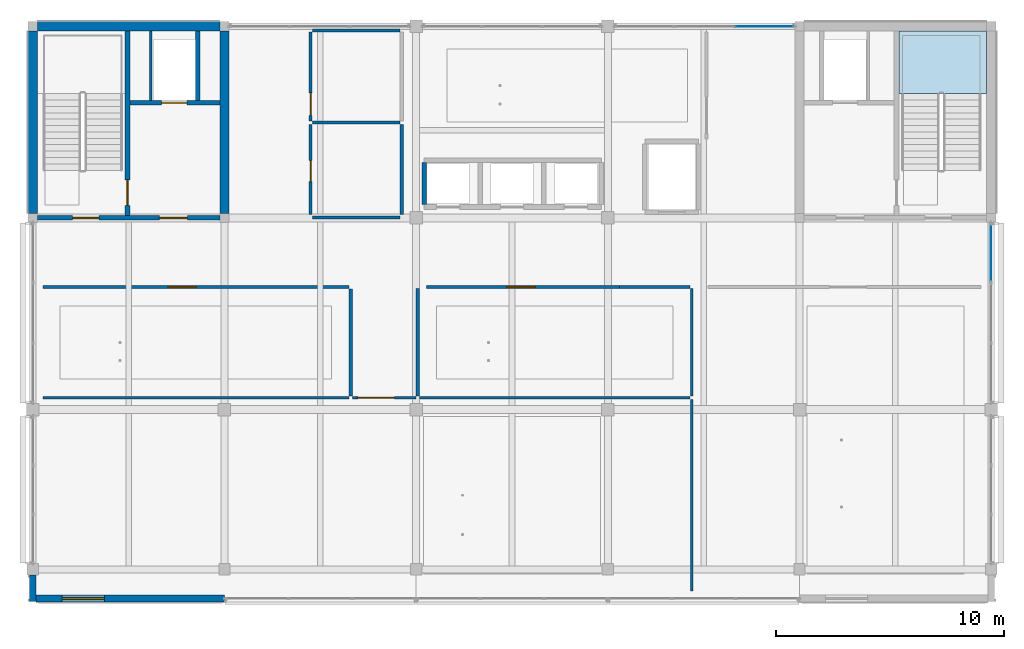
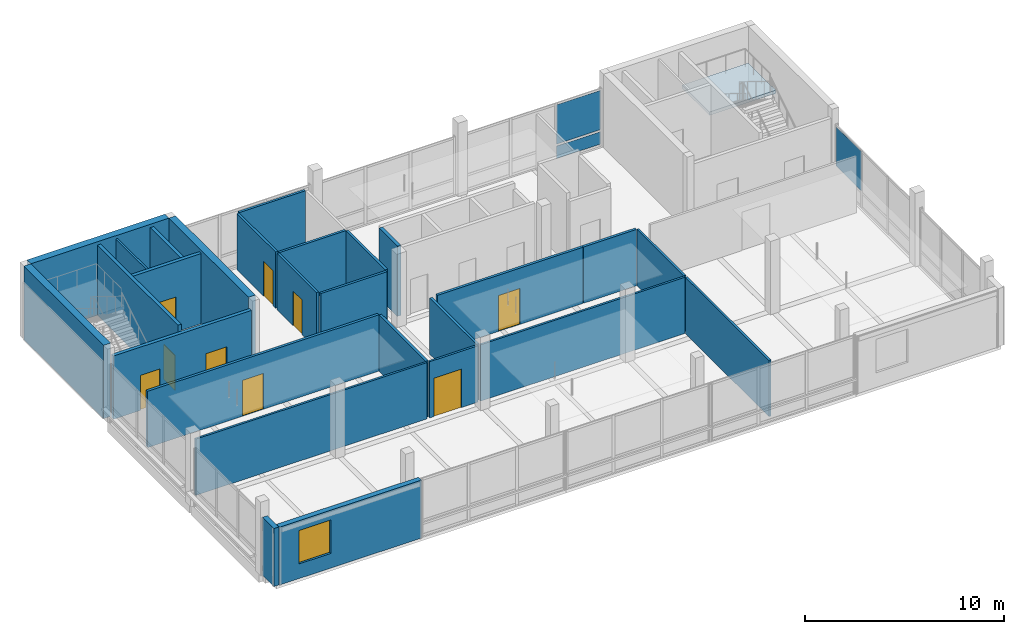
# One storey, part 7 of 20: 27 walls, 9 doors, 3 plates, 1 slab, 1 window, 10 openings, 3 elements without a shape of their own.
"""IFC4 building model written with IfcOpenShell, lengths in metres."""

from ifc_helpers import new_model, si_unit, direction, frame, frame_2d, origin, origin_2d, place, context, subcontext, project, spatial, polyline, rectangle, outline, extrude, material, layer, layer_set, type_object, element, fill, aggregate, save


model = new_model("IFC4")

# Units and contexts
model_context = context("Model", 3, precision=1e-05, world=origin(), true_north=direction((0.0, 1.0)))
body_context = subcontext(model_context, "Body", "Model", "MODEL_VIEW")
ifc_project = project(units=[si_unit("LENGTHUNIT", "METRE"), si_unit("AREAUNIT", "SQUARE_METRE"), si_unit("VOLUMEUNIT", "CUBIC_METRE"), si_unit("PLANEANGLEUNIT", "RADIAN"), si_unit("MASSUNIT", "GRAM", prefix="KILO")], contexts=[model_context])

# Site, building, storey
site_placement = place(None, origin())
site = spatial("IfcSite", under=ifc_project, at=site_placement, CompositionType="ELEMENT")
building_placement = place(site_placement, origin())
building = spatial("IfcBuilding", under=site, at=building_placement, Name="Telukmera Botanical Conservatory", CompositionType="ELEMENT")
storey_placement = place(building_placement, frame((0.0, 0.0, 69.0)))
storey = spatial("IfcBuildingStorey", under=building, at=storey_placement, Name="L15", CompositionType="ELEMENT", Elevation=69.0)

# Curtain wall, plates
ifc_material_1 = material(Name="Anodised aluminium 6063-T6", Category="aluminium")
ifc_layer_1 = layer(ifc_material_1, 0.179931640625)
ifc_layer_set_1 = layer_set([ifc_layer_1], Name="Anodised aluminium 6063-T6")
curtain_wall_type = type_object("IfcCurtainWallType", Name="Tower Sky Gallery Panoramic Curtain Wall", PredefinedType="USERDEFINED", material=ifc_layer_set_1)
curtain_wall_1_placement = place(storey_placement, origin())
curtain_wall_1 = element("IfcCurtainWall", 1, at=curtain_wall_1_placement, inside=storey, type_object=curtain_wall_type, Name="Unitised Curtain Wall CW16 V4:L15:N4", ObjectType="UNITISED CURTAIN WALL", PredefinedType="USERDEFINED")
ifc_material_2 = material(Name="Spectrally selective low-E double glazing", Category="glass")
ifc_layer_2 = layer(ifc_material_2, 0.02392578125)
ifc_layer_set_2 = layer_set([ifc_layer_2], Name="Spectrally selective low-E double glazing")
plate_type = type_object("IfcPlateType", Name="High Light Transmission Conservatory Glazing Panel 24", PredefinedType="CURTAIN_PANEL", material=ifc_layer_set_2)
plate_1_placement = place(storey_placement, frame((90.861572265625, 34.39990234375, 0.130126953125), z_axis=(0.0, 0.0, 1.0), x_axis=(1.0, 0.0, 0.0)))
plate_1 = element("IfcPlate", 2, at=plate_1_placement, type_object=plate_type, Name="CW16 panel 3.1", PredefinedType="CURTAIN_PANEL", context=body_context, shape_type="SweptSolid", body=[
    extrude(rectangle(XDim=2.542724609375, YDim=0.02392578125, at=origin_2d()), origin(), (0.0, 0.0, 1.0), 0.7548828125),
])
plate_2_placement = place(storey_placement, frame((90.861572265625, 34.39990234375, 1.01513671875), z_axis=(0.0, 0.0, 1.0), x_axis=(1.0, 0.0, 0.0)))
plate_2 = element("IfcPlate", 3, at=plate_2_placement, type_object=plate_type, Name="CW16 panel 3.2", PredefinedType="CURTAIN_PANEL", context=body_context, shape_type="SweptSolid", body=[
    extrude(rectangle(XDim=2.542724609375, YDim=0.02392578125, at=origin_2d()), origin(), (0.0, 0.0, 1.0), 2.405029296875),
])
aggregate(curtain_wall_1, [plate_1, plate_2])

# Curtain wall, plate
curtain_wall_2_placement = place(storey_placement, origin())
curtain_wall_2 = element("IfcCurtainWall", 4, at=curtain_wall_2_placement, inside=storey, type_object=curtain_wall_type, Name="Unitised Curtain Wall CW16 V4:L15:E2", ObjectType="UNITISED CURTAIN WALL", PredefinedType="USERDEFINED")
plate_3_placement = place(storey_placement, frame((100.800048828125, 24.461669921875, 1.01513671875), z_axis=(0.0, 0.0, 1.0), x_axis=(0.0, 1.0, 0.0)))
plate_3 = element("IfcPlate", 5, at=plate_3_placement, type_object=plate_type, Name="CW16 panel 3.2", PredefinedType="CURTAIN_PANEL", context=body_context, shape_type="SweptSolid", body=[
    extrude(rectangle(XDim=2.542724609375, YDim=0.02392578125, at=origin_2d()), origin(), (0.0, 0.0, 1.0), 2.405029296875),
])
aggregate(curtain_wall_2, [plate_3])

# Stair, slab
ifc_material_3 = material(Name="Concrete C40/50", Category="concrete")
stair_type = type_object("IfcStairType", Name="ST-ESC-4500", PredefinedType="HALF_TURN_STAIR", material=ifc_material_3)
stair_placement = place(storey_placement, origin())
stair = element("IfcStair", 6, at=stair_placement, inside=storey, type_object=stair_type, Name="L15 Protected Escape Stair ST2", PredefinedType="HALF_TURN_STAIR")
ifc_layer_3 = layer(ifc_material_3, 0.199951171875)
ifc_layer_set_3 = layer_set([ifc_layer_3], Name="Concrete C40/50")
slab_type = type_object("IfcSlabType", Name="SL-LAND-200", PredefinedType="LANDING", material=ifc_layer_set_3)
slab_placement = place(storey_placement, frame((0.0, 0.0, 2.050048828125)))
slab = element("IfcSlab", 7, at=slab_placement, type_object=slab_type, Name="ST2 landing 1", PredefinedType="LANDING", context=body_context, shape_type="SweptSolid", body=[
    extrude(outline(polyline([(96.7548828125, 31.449951171875), (100.594970703125, 31.449951171875), (100.594970703125, 34.195068359375), (96.7548828125, 34.195068359375), (96.7548828125, 31.449951171875)])), origin(), (0.0, 0.0, 1.0), 0.199951171875),
])
aggregate(stair, [slab])

# Wall
ifc_material_4 = material(Name="Terracotta-faced precast concrete C40/50", Category="masonry")
ifc_layer_4 = layer(ifc_material_4, 0.300048828125)
ifc_layer_set_4 = layer_set([ifc_layer_4], Name="Terracotta-faced precast concrete C40/50")
wall_type_1 = type_object("IfcWallType", Name="Exterior Polychrome Terracotta Precast Wall 300", PredefinedType="SOLIDWALL", material=ifc_layer_set_4)
wall_1_placement = place(storey_placement, frame((58.800048828125, 9.199951171875, 0.0), z_axis=(0.0, 0.0, 1.0), x_axis=(0.0, 1.0, 0.0)))
element("IfcWall", 8, at=wall_1_placement, inside=storey, type_object=wall_type_1, Name="Exterior Precast Wall EW02 V4:L15:SWC", PredefinedType="SOLIDWALL", context=body_context, shape_type="SweptSolid", body=[
    extrude(rectangle(XDim=1.14794921875, YDim=0.300048828125, at=frame_2d((0.573974609375, 0.0))), origin(), (0.0, 0.0, 1.0), 3.550048828125),
])

# Wall, opening, window
wall_2_placement = place(storey_placement, frame((58.951904296875, 9.320068359375, 0.0), z_axis=(0.0, 0.0, 1.0), x_axis=(1.0, 0.0, 0.0)))
wall_2 = element("IfcWall", 9, at=wall_2_placement, inside=storey, type_object=wall_type_1, Name="Exterior Precast Wall EW02 V4:L15:S1", PredefinedType="SOLIDWALL", context=body_context, shape_type="SweptSolid", body=[
    extrude(rectangle(XDim=8.24609375, YDim=0.300048828125, at=frame_2d((4.123046875, 0.0))), origin(), (0.0, 0.0, 1.0), 3.550048828125),
])
opening_1_placement = place(wall_2_placement, frame((1.136474609375, 0.0, 0.89990234375)))
opening_1 = element("IfcOpeningElement", 10, at=opening_1_placement, cuts=wall_2, Name="Opening W12", PredefinedType="OPENING", context=body_context, shape_type="SweptSolid", body=[
    extrude(rectangle(XDim=1.85009765625, YDim=2.050048828125, at=frame_2d((0.925048828125, 1.02490234375))), frame((0.0, 0.159912109375, 0.0), z_axis=(0.0, -1.0, 0.0), x_axis=(1.0, 0.0, 0.0)), (0.0, 0.0, 1.0), 0.320068359375),
])
ifc_material_5 = material(Name="Thermally broken anodised aluminium frame with low-E double glazing", Category="aluminium")
window_type = type_object("IfcWindowType", Name="Double Horizontal Seminar Suite Window 1850x2050", PartitioningType="DOUBLE_PANEL_HORIZONTAL", PredefinedType="WINDOW", material=ifc_material_5)
window_placement = place(opening_1_placement, origin())
window = element("IfcWindow", 11, at=window_placement, inside=storey, type_object=window_type, Name="Facade Window W12 V4:L15:S1 1", OverallHeight=2.050048828125, OverallWidth=1.85009765625, PartitioningType="DOUBLE_PANEL_HORIZONTAL", PredefinedType="WINDOW", context=body_context, shape_type="SweptSolid", body=[
    extrude(rectangle(XDim=1.85009765625, YDim=2.050048828125, at=frame_2d((0.925048828125, 1.02490234375))), frame((0.0, 0.030029296875, 0.0), z_axis=(0.0, -1.0, 0.0), x_axis=(1.0, 0.0, 0.0)), (0.0, 0.0, 1.0), 0.06005859375),
])
fill(opening_1, window)

# Wall, openings, doors
ifc_layer_5 = layer(ifc_material_3, 0.199951171875)
ifc_layer_set_5 = layer_set([ifc_layer_5], Name="Concrete C40/50")
wall_type_2 = type_object("IfcWallType", Name="WT-CORE-200", PredefinedType="SOLIDWALL", material=ifc_layer_set_5)
wall_3_placement = place(storey_placement, frame((59.0, 26.0, 0.0), z_axis=(0.0, 0.0, 1.0), x_axis=(1.0, 0.0, 0.0)))
wall_3 = element("IfcWall", 12, at=wall_3_placement, inside=storey, type_object=wall_type_2, Name="L15 Core C1 South Fire Wall", PredefinedType="SOLIDWALL", context=body_context, shape_type="SweptSolid", body=[
    extrude(rectangle(XDim=8.0, YDim=0.199951171875, at=frame_2d((4.0, 0.0))), origin(), (0.0, 0.0, 1.0), 3.8798828125),
])
opening_2_placement = place(wall_3_placement, frame((1.550048828125, 0.0, 0.0)))
opening_2 = element("IfcOpeningElement", 13, at=opening_2_placement, cuts=wall_3, Name="Opening FD60A", PredefinedType="OPENING", context=body_context, shape_type="SweptSolid", body=[
    extrude(rectangle(XDim=1.14990234375, YDim=2.14990234375, at=frame_2d((0.574951171875, 1.074951171875))), frame((0.0, 0.10986328125, 0.0), z_axis=(0.0, -1.0, 0.0), x_axis=(1.0, 0.0, 0.0)), (0.0, 0.0, 1.0), 0.219970703125),
])
opening_3_placement = place(wall_3_placement, frame((5.35009765625, 0.0, 0.0)))
opening_3 = element("IfcOpeningElement", 14, at=opening_3_placement, cuts=wall_3, Name="Opening FD60C", PredefinedType="OPENING", context=body_context, shape_type="SweptSolid", body=[
    extrude(rectangle(XDim=1.219970703125, YDim=2.14990234375, at=frame_2d((0.60986328125, 1.074951171875))), frame((0.0, 0.10986328125, 0.0), z_axis=(0.0, -1.0, 0.0), x_axis=(1.0, 0.0, 0.0)), (0.0, 0.0, 1.0), 0.219970703125),
])
ifc_material_6 = material(Name="Hardwood fire door", Category="wood")
door_type_1 = type_object("IfcDoorType", Name="DT-FD60-01", OperationType="NOTDEFINED", PredefinedType="DOOR", material=ifc_material_6)
door_1_placement = place(opening_2_placement, origin())
door_1 = element("IfcDoor", 15, at=door_1_placement, inside=storey, type_object=door_type_1, Name="L15 Stair ST1 Escape Door", OperationType="SINGLE_SWING_RIGHT", OverallHeight=2.14990234375, OverallWidth=1.14990234375, PredefinedType="DOOR", context=body_context, shape_type="SweptSolid", body=[
    extrude(rectangle(XDim=1.14990234375, YDim=2.14990234375, at=frame_2d((0.574951171875, 1.074951171875))), frame((0.0, 0.02490234375, 0.0), z_axis=(0.0, -1.0, 0.0), x_axis=(1.0, 0.0, 0.0)), (0.0, 0.0, 1.0), 0.050048828125),
])
fill(opening_2, door_1)
door_type_2 = type_object("IfcDoorType", Name="DT-FD60-03", OperationType="NOTDEFINED", PredefinedType="DOOR", material=ifc_material_6)
door_2_placement = place(opening_3_placement, origin())
door_2 = element("IfcDoor", 16, at=door_2_placement, inside=storey, type_object=door_type_2, Name="L15 Firefighting Lobby C1 Door", OperationType="SINGLE_SWING_LEFT", OverallHeight=2.14990234375, OverallWidth=1.219970703125, PredefinedType="DOOR", context=body_context, shape_type="SweptSolid", body=[
    extrude(rectangle(XDim=1.219970703125, YDim=2.14990234375, at=frame_2d((0.60986328125, 1.074951171875))), frame((0.0, 0.02490234375, 0.0), z_axis=(0.0, -1.0, 0.0), x_axis=(1.0, 0.0, 0.0)), (0.0, 0.0, 1.0), 0.050048828125),
])
fill(opening_3, door_2)

# Wall, opening, door
wall_4_placement = place(storey_placement, frame((62.949951171875, 26.10009765625, 0.0), z_axis=(0.0, 0.0, 1.0), x_axis=(0.0, 1.0, 0.0)))
wall_4 = element("IfcWall", 17, at=wall_4_placement, inside=storey, type_object=wall_type_2, Name="L15 Core C1 Stair-Lobby Wall", PredefinedType="SOLIDWALL", context=body_context, shape_type="SweptSolid", body=[
    extrude(rectangle(XDim=8.099853515625, YDim=0.199951171875, at=frame_2d((4.0498046875, 0.0))), origin(), (0.0, 0.0, 1.0), 4.300048828125),
])
opening_4_placement = place(wall_4_placement, frame((0.449951171875, 0.0, 0.0)))
opening_4 = element("IfcOpeningElement", 18, at=opening_4_placement, cuts=wall_4, Name="Opening FD60B", PredefinedType="OPENING", context=body_context, shape_type="SweptSolid", body=[
    extrude(rectangle(XDim=1.1201171875, YDim=2.14990234375, at=frame_2d((0.56005859375, 1.074951171875))), frame((0.0, 0.10986328125, 0.0), z_axis=(0.0, -1.0, 0.0), x_axis=(1.0, 0.0, 0.0)), (0.0, 0.0, 1.0), 0.219970703125),
])
door_type_3 = type_object("IfcDoorType", Name="DT-FD60-02", OperationType="NOTDEFINED", PredefinedType="DOOR", material=ifc_material_6)
door_3_placement = place(opening_4_placement, origin())
door_3 = element("IfcDoor", 19, at=door_3_placement, inside=storey, type_object=door_type_3, Name="L15 Firefighting Lobby C1 to ST1 Door", OperationType="SINGLE_SWING_RIGHT", OverallHeight=2.14990234375, OverallWidth=1.1201171875, PredefinedType="DOOR", context=body_context, shape_type="SweptSolid", body=[
    extrude(rectangle(XDim=1.1201171875, YDim=2.14990234375, at=frame_2d((0.56005859375, 1.074951171875))), frame((0.0, 0.02490234375, 0.0), z_axis=(0.0, -1.0, 0.0), x_axis=(1.0, 0.0, 0.0)), (0.0, 0.0, 1.0), 0.050048828125),
])
fill(opening_4, door_3)

wall_5_placement = place(storey_placement, frame((63.050048828125, 31.050048828125, 0.0), z_axis=(0.0, 0.0, 1.0), x_axis=(1.0, 0.0, 0.0)))
wall_5 = element("IfcWall", 20, at=wall_5_placement, inside=storey, type_object=wall_type_2, Name="L15 Fire Lift FL1 Shaft Front Wall", PredefinedType="SOLIDWALL", context=body_context, shape_type="SweptSolid", body=[
    extrude(rectangle(XDim=3.949951171875, YDim=0.199951171875, at=frame_2d((1.97509765625, 0.0))), origin(), (0.0, 0.0, 1.0), 4.300048828125),
])
opening_5_placement = place(wall_5_placement, frame((1.39990234375, 0.0, 0.0)))
opening_5 = element("IfcOpeningElement", 21, at=opening_5_placement, cuts=wall_5, Name="Opening LD01", PredefinedType="OPENING", context=body_context, shape_type="SweptSolid", body=[
    extrude(rectangle(XDim=1.10009765625, YDim=2.14990234375, at=frame_2d((0.550048828125, 1.074951171875))), frame((0.0, 0.10986328125, 0.0), z_axis=(0.0, -1.0, 0.0), x_axis=(1.0, 0.0, 0.0)), (0.0, 0.0, 1.0), 0.219970703125),
])
ifc_material_7 = material(Name="Stainless steel 316", Category="steel")
door_type_4 = type_object("IfcDoorType", Name="DT-LD01", OperationType="SLIDING_TO_LEFT", PredefinedType="DOOR", material=ifc_material_7)
door_4_placement = place(opening_5_placement, frame((1.10009765625, 0.0, 0.0), z_axis=(0.0, 0.0, 1.0), x_axis=(-1.0, 0.0, 0.0)))
door_4 = element("IfcDoor", 22, at=door_4_placement, inside=storey, type_object=door_type_4, Name="L15 Lift Landing Door FL1", OperationType="SLIDING_TO_LEFT", OverallHeight=2.14990234375, OverallWidth=1.10009765625, PredefinedType="DOOR", context=body_context, shape_type="SweptSolid", body=[
    extrude(rectangle(XDim=1.10009765625, YDim=2.14990234375, at=frame_2d((0.550048828125, 1.074951171875))), frame((0.0, 0.02490234375, 0.0), z_axis=(0.0, -1.0, 0.0), x_axis=(1.0, 0.0, 0.0)), (0.0, 0.0, 1.0), 0.050048828125),
])
fill(opening_5, door_4)

# Walls
wall_6_placement = place(storey_placement, frame((66.02001953125, 31.14990234375, 0.0), z_axis=(0.0, 0.0, 1.0), x_axis=(0.0, 1.0, 0.0)))
element("IfcWall", 23, at=wall_6_placement, inside=storey, type_object=wall_type_2, Name="L15 Fire Lift FL1 Shaft East Wall", PredefinedType="SOLIDWALL", context=body_context, shape_type="SweptSolid", body=[
    extrude(rectangle(XDim=3.050048828125, YDim=0.199951171875, at=frame_2d((1.52490234375, 0.0))), origin(), (0.0, 0.0, 1.0), 4.300048828125),
])
wall_7_placement = place(storey_placement, frame((75.949951171875, 26.580078125, 0.0), z_axis=(0.0, 0.0, 1.0), x_axis=(0.0, 1.0, 0.0)))
element("IfcWall", 24, at=wall_7_placement, inside=storey, type_object=wall_type_2, Name="L15 Passenger Lift Shaft Wall 1", PredefinedType="SOLIDWALL", context=body_context, shape_type="SweptSolid", body=[
    extrude(rectangle(XDim=1.83984375, YDim=0.199951171875, at=frame_2d((0.919921875, 0.0))), origin(), (0.0, 0.0, 1.0), 4.300048828125),
])

# Wall, opening, door
ifc_material_8 = material(Name="Aluminium framed acoustic glass", Category="aluminium")
ifc_layer_6 = layer(ifc_material_8, 0.1201171875)
ifc_layer_set_6 = layer_set([ifc_layer_6], Name="Aluminium framed acoustic glass")
wall_type_3 = type_object("IfcWallType", Name="WT-GLAZ-120", PredefinedType="PARTITIONING", material=ifc_layer_set_6)
wall_8_placement = place(storey_placement, frame((72.800048828125, 18.125, 0.0), z_axis=(0.0, 0.0, 1.0), x_axis=(1.0, 0.0, 0.0)))
wall_8 = element("IfcWall", 25, at=wall_8_placement, inside=storey, type_object=wall_type_3, Name="L15 Interior Partition 10", PredefinedType="PARTITIONING", context=body_context, shape_type="SweptSolid", body=[
    extrude(rectangle(XDim=2.800048828125, YDim=0.1201171875, at=frame_2d((1.39990234375, 0.0))), origin(), (0.0, 0.0, 1.0), 3.449951171875),
])
opening_6_placement = place(wall_8_placement, frame((0.25, 0.0, 0.0)))
opening_6 = element("IfcOpeningElement", 26, at=opening_6_placement, cuts=wall_8, Name="Opening ID03", PredefinedType="OPENING", context=body_context, shape_type="SweptSolid", body=[
    extrude(rectangle(XDim=1.60009765625, YDim=2.35009765625, at=frame_2d((0.800048828125, 1.175048828125))), frame((0.0, 0.070068359375, 0.0), z_axis=(0.0, -1.0, 0.0), x_axis=(1.0, 0.0, 0.0)), (0.0, 0.0, 1.0), 0.14013671875),
])
ifc_material_9 = material(Name="Anodised aluminium glazed double door", Category="aluminium")
door_type_5 = type_object("IfcDoorType", Name="DT-GAL-160", OperationType="NOTDEFINED", PredefinedType="DOOR", material=ifc_material_9)
door_5_placement = place(opening_6_placement, frame((1.60009765625, 0.0, 0.0), z_axis=(0.0, 0.0, 1.0), x_axis=(-1.0, 0.0, 0.0)))
door_5 = element("IfcDoor", 27, at=door_5_placement, inside=storey, type_object=door_type_5, Name="L15 Visitor Sky Gallery Door", OperationType="SINGLE_SWING_LEFT", OverallHeight=2.35009765625, OverallWidth=1.60009765625, PredefinedType="DOOR", context=body_context, shape_type="SweptSolid", body=[
    extrude(rectangle(XDim=1.60009765625, YDim=2.35009765625, at=frame_2d((0.800048828125, 1.175048828125))), frame((0.0, 0.02490234375, 0.0), z_axis=(0.0, -1.0, 0.0), x_axis=(1.0, 0.0, 0.0)), (0.0, 0.0, 1.0), 0.050048828125),
])
fill(opening_6, door_5)

# Walls
wall_9_placement = place(storey_placement, frame((59.25, 18.125, 0.0), z_axis=(0.0, 0.0, 1.0), x_axis=(1.0, 0.0, 0.0)))
element("IfcWall", 28, at=wall_9_placement, inside=storey, type_object=wall_type_3, Name="L15 Interior Partition 13", PredefinedType="PARTITIONING", context=body_context, shape_type="SweptSolid", body=[
    extrude(rectangle(XDim=13.39990234375, YDim=0.1201171875, at=frame_2d((6.699951171875, 0.0))), origin(), (0.0, 0.0, 1.0), 3.449951171875),
])
wall_10_placement = place(storey_placement, frame((75.75, 18.125, 0.0), z_axis=(0.0, 0.0, 1.0), x_axis=(1.0, 0.0, 0.0)))
element("IfcWall", 29, at=wall_10_placement, inside=storey, type_object=wall_type_3, Name="L15 Interior Partition 14", PredefinedType="PARTITIONING", context=body_context, shape_type="SweptSolid", body=[
    extrude(rectangle(XDim=11.85009765625, YDim=0.1201171875, at=frame_2d((5.925048828125, 0.0))), origin(), (0.0, 0.0, 1.0), 3.449951171875),
])
wall_11_placement = place(storey_placement, frame((87.675048828125, 9.64990234375, 0.0), z_axis=(0.0, 0.0, 1.0), x_axis=(0.0, 1.0, 0.0)))
element("IfcWall", 30, at=wall_11_placement, inside=storey, type_object=wall_type_3, Name="L15 Interior Partition 15", PredefinedType="PARTITIONING", context=body_context, shape_type="SweptSolid", body=[
    extrude(rectangle(XDim=8.400146484375, YDim=0.1201171875, at=frame_2d((4.2001953125, 0.0))), origin(), (0.0, 0.0, 1.0), 3.449951171875),
])
wall_12_placement = place(storey_placement, frame((87.675048828125, 18.199951171875, 0.0), z_axis=(0.0, 0.0, 1.0), x_axis=(0.0, 1.0, 0.0)))
element("IfcWall", 31, at=wall_12_placement, inside=storey, type_object=wall_type_3, Name="L15 Interior Partition 16", PredefinedType="PARTITIONING", context=body_context, shape_type="SweptSolid", body=[
    extrude(rectangle(XDim=4.699951171875, YDim=0.1201171875, at=frame_2d((2.35009765625, 0.0))), origin(), (0.0, 0.0, 1.0), 3.449951171875),
])
ifc_material_10 = material(Name="Gypsum shaftwall liner")
ifc_layer_7 = layer(ifc_material_10, 0.110107421875)
ifc_layer_set_7 = layer_set([ifc_layer_7], Name="Gypsum shaftwall liner")
wall_type_4 = type_object("IfcWallType", Name="WT-RISER-110", PredefinedType="PARTITIONING", material=ifc_layer_set_7)
wall_13_placement = place(storey_placement, frame((63.97998046875, 31.14990234375, 0.0), z_axis=(0.0, 0.0, 1.0), x_axis=(0.0, 1.0, 0.0)))
element("IfcWall", 32, at=wall_13_placement, inside=storey, type_object=wall_type_4, Name="L15 Wet Riser C1 Shaft Wall", PredefinedType="PARTITIONING", context=body_context, shape_type="SweptSolid", body=[
    extrude(rectangle(XDim=3.050048828125, YDim=0.110107421875, at=frame_2d((1.52490234375, 0.0))), origin(), (0.0, 0.0, 1.0), 4.300048828125),
])

# Wall, opening, door
ifc_material_11 = material(Name="Gypsum acoustic stud partition")
ifc_layer_8 = layer(ifc_material_11, 0.14990234375)
ifc_layer_set_8 = layer_set([ifc_layer_8], Name="Gypsum acoustic stud partition")
wall_type_5 = type_object("IfcWallType", Name="WT-STD-150", PredefinedType="PARTITIONING", material=ifc_layer_set_8)
wall_14_placement = place(storey_placement, frame((76.050048828125, 22.97509765625, 0.0), z_axis=(0.0, 0.0, 1.0), x_axis=(1.0, 0.0, 0.0)))
wall_14 = element("IfcWall", 33, at=wall_14_placement, inside=storey, type_object=wall_type_5, Name="L15 Interior Partition 06", PredefinedType="PARTITIONING", context=body_context, shape_type="SweptSolid", body=[
    extrude(rectangle(XDim=8.449951171875, YDim=0.14990234375, at=frame_2d((4.22509765625, 0.0))), origin(), (0.0, 0.0, 1.0), 3.449951171875),
])
opening_7_placement = place(wall_14_placement, frame((3.530517578125, 0.0, 0.0)))
opening_7 = element("IfcOpeningElement", 34, at=opening_7_placement, cuts=wall_14, Name="Opening ID08", PredefinedType="OPENING", context=body_context, shape_type="SweptSolid", body=[
    extrude(rectangle(XDim=1.239990234375, YDim=2.199951171875, at=frame_2d((0.6201171875, 1.10009765625))), frame((0.0, 0.0849609375, 0.0), z_axis=(0.0, -1.0, 0.0), x_axis=(1.0, 0.0, 0.0)), (0.0, 0.0, 1.0), 0.169921875),
])
ifc_material_12 = material(Name="Solid core hardwood classroom door", Category="wood")
door_type_6 = type_object("IfcDoorType", Name="DT-CLS-124", OperationType="NOTDEFINED", PredefinedType="DOOR", material=ifc_material_12)
door_6_placement = place(opening_7_placement, frame((1.239990234375, 0.0, 0.0), z_axis=(0.0, 0.0, 1.0), x_axis=(-1.0, 0.0, 0.0)))
door_6 = element("IfcDoor", 35, at=door_6_placement, inside=storey, type_object=door_type_6, Name="L15 Canopy Horizon Reading Room Door", OperationType="SINGLE_SWING_LEFT", OverallHeight=2.199951171875, OverallWidth=1.239990234375, PredefinedType="DOOR", context=body_context, shape_type="SweptSolid", body=[
    extrude(rectangle(XDim=1.239990234375, YDim=2.199951171875, at=frame_2d((0.6201171875, 1.10009765625))), frame((0.0, 0.02490234375, 0.0), z_axis=(0.0, -1.0, 0.0), x_axis=(1.0, 0.0, 0.0)), (0.0, 0.0, 1.0), 0.050048828125),
])
fill(opening_7, door_6)

# Wall
wall_15_placement = place(storey_placement, frame((84.510009765625, 22.97509765625, 0.0), z_axis=(0.0, 0.0, 1.0), x_axis=(1.0, 0.0, 0.0)))
element("IfcWall", 36, at=wall_15_placement, inside=storey, type_object=wall_type_5, Name="L15 Interior Partition 07", PredefinedType="PARTITIONING", context=body_context, shape_type="SweptSolid", body=[
    extrude(rectangle(XDim=3.090087890625, YDim=0.14990234375, at=frame_2d((1.544921875, 0.0))), origin(), (0.0, 0.0, 1.0), 3.449951171875),
])

# Wall, opening, door
wall_16_placement = place(storey_placement, frame((59.25, 22.97509765625, 0.0), z_axis=(0.0, 0.0, 1.0), x_axis=(1.0, 0.0, 0.0)))
wall_16 = element("IfcWall", 37, at=wall_16_placement, inside=storey, type_object=wall_type_5, Name="L15 Interior Partition 08", PredefinedType="PARTITIONING", context=body_context, shape_type="SweptSolid", body=[
    extrude(rectangle(XDim=13.39990234375, YDim=0.14990234375, at=frame_2d((6.699951171875, 0.0))), origin(), (0.0, 0.0, 1.0), 3.449951171875),
])
opening_8_placement = place(wall_16_placement, frame((5.482177734375, 0.0, 0.0)))
opening_8 = element("IfcOpeningElement", 38, at=opening_8_placement, cuts=wall_16, Name="Opening ID08", PredefinedType="OPENING", context=body_context, shape_type="SweptSolid", body=[
    extrude(rectangle(XDim=1.239990234375, YDim=2.199951171875, at=frame_2d((0.6201171875, 1.10009765625))), frame((0.0, 0.0849609375, 0.0), z_axis=(0.0, -1.0, 0.0), x_axis=(1.0, 0.0, 0.0)), (0.0, 0.0, 1.0), 0.169921875),
])
door_7_placement = place(opening_8_placement, frame((1.239990234375, 0.0, 0.0), z_axis=(0.0, 0.0, 1.0), x_axis=(-1.0, 0.0, 0.0)))
door_7 = element("IfcDoor", 39, at=door_7_placement, inside=storey, type_object=door_type_6, Name="L15 Education Viewing Studio Door", OperationType="SINGLE_SWING_RIGHT", OverallHeight=2.199951171875, OverallWidth=1.239990234375, PredefinedType="DOOR", context=body_context, shape_type="SweptSolid", body=[
    extrude(rectangle(XDim=1.239990234375, YDim=2.199951171875, at=frame_2d((0.6201171875, 1.10009765625))), frame((0.0, 0.02490234375, 0.0), z_axis=(0.0, -1.0, 0.0), x_axis=(1.0, 0.0, 0.0)), (0.0, 0.0, 1.0), 0.050048828125),
])
fill(opening_8, door_7)

# Walls
wall_17_placement = place(storey_placement, frame((72.72509765625, 18.199951171875, 0.0), z_axis=(0.0, 0.0, 1.0), x_axis=(0.0, 1.0, 0.0)))
element("IfcWall", 40, at=wall_17_placement, inside=storey, type_object=wall_type_5, Name="L15 Interior Partition 11", PredefinedType="PARTITIONING", context=body_context, shape_type="SweptSolid", body=[
    extrude(rectangle(XDim=4.68994140625, YDim=0.14990234375, at=frame_2d((2.344970703125, 0.0))), origin(), (0.0, 0.0, 1.0), 3.449951171875),
])
wall_18_placement = place(storey_placement, frame((75.675048828125, 18.199951171875, 0.0), z_axis=(0.0, 0.0, 1.0), x_axis=(0.0, 1.0, 0.0)))
element("IfcWall", 41, at=wall_18_placement, inside=storey, type_object=wall_type_5, Name="L15 Interior Partition 12", PredefinedType="PARTITIONING", context=body_context, shape_type="SweptSolid", body=[
    extrude(rectangle(XDim=4.699951171875, YDim=0.14990234375, at=frame_2d((2.35009765625, 0.0))), origin(), (0.0, 0.0, 1.0), 3.449951171875),
])

# Wall, opening, door
ifc_material_13 = material(Name="Moisture-resistant blockwork", Category="masonry")
ifc_layer_9 = layer(ifc_material_13, 0.135009765625)
ifc_layer_set_9 = layer_set([ifc_layer_9], Name="Moisture-resistant blockwork")
wall_type_6 = type_object("IfcWallType", Name="WT-WC-135", PredefinedType="PARTITIONING", material=ifc_layer_set_9)
wall_19_placement = place(storey_placement, frame((70.97509765625, 26.14990234375, 0.0), z_axis=(0.0, 0.0, 1.0), x_axis=(0.0, 1.0, 0.0)))
wall_19 = element("IfcWall", 42, at=wall_19_placement, inside=storey, type_object=wall_type_6, Name="L15 Interior Partition 01", PredefinedType="PARTITIONING", context=body_context, shape_type="SweptSolid", body=[
    extrude(rectangle(XDim=3.9501953125, YDim=0.135009765625, at=frame_2d((1.97509765625, 0.0))), origin(), (0.0, 0.0, 1.0), 3.449951171875),
])
opening_9_placement = place(wall_19_placement, frame((1.440673828125, 0.0, 0.0)))
opening_9 = element("IfcOpeningElement", 43, at=opening_9_placement, cuts=wall_19, Name="Opening ID17", PredefinedType="OPENING", context=body_context, shape_type="SweptSolid", body=[
    extrude(rectangle(XDim=0.919921875, YDim=2.1201171875, at=frame_2d((0.4599609375, 1.06005859375))), frame((0.0, 0.077392578125, 0.0), z_axis=(0.0, -1.0, 0.0), x_axis=(1.0, 0.0, 0.0)), (0.0, 0.0, 1.0), 0.155029296875),
])
ifc_material_14 = material(Name="Moisture-resistant laminate WC door")
door_type_7 = type_object("IfcDoorType", Name="DT-WC-092", OperationType="NOTDEFINED", PredefinedType="DOOR", material=ifc_material_14)
door_8_placement = place(opening_9_placement, origin())
door_8 = element("IfcDoor", 44, at=door_8_placement, inside=storey, type_object=door_type_7, Name="L15 Public WC Door", OperationType="SINGLE_SWING_RIGHT", OverallHeight=2.1201171875, OverallWidth=0.919921875, PredefinedType="DOOR", context=body_context, shape_type="SweptSolid", body=[
    extrude(rectangle(XDim=0.919921875, YDim=2.1201171875, at=frame_2d((0.4599609375, 1.06005859375))), frame((0.0, 0.02490234375, 0.0), z_axis=(0.0, -1.0, 0.0), x_axis=(1.0, 0.0, 0.0)), (0.0, 0.0, 1.0), 0.050048828125),
])
fill(opening_9, door_8)

wall_20_placement = place(storey_placement, frame((70.97509765625, 30.25, 0.0), z_axis=(0.0, 0.0, 1.0), x_axis=(0.0, 1.0, 0.0)))
wall_20 = element("IfcWall", 45, at=wall_20_placement, inside=storey, type_object=wall_type_6, Name="L15 Interior Partition 02", PredefinedType="PARTITIONING", context=body_context, shape_type="SweptSolid", body=[
    extrude(rectangle(XDim=3.89990234375, YDim=0.135009765625, at=frame_2d((1.949951171875, 0.0))), origin(), (0.0, 0.0, 1.0), 3.449951171875),
])
opening_10_placement = place(wall_20_placement, frame((0.25, 0.0, 0.0)))
opening_10 = element("IfcOpeningElement", 46, at=opening_10_placement, cuts=wall_20, Name="Opening ID15", PredefinedType="OPENING", context=body_context, shape_type="SweptSolid", body=[
    extrude(rectangle(XDim=0.97998046875, YDim=2.14990234375, at=frame_2d((0.489990234375, 1.074951171875))), frame((0.0, 0.077392578125, 0.0), z_axis=(0.0, -1.0, 0.0), x_axis=(1.0, 0.0, 0.0)), (0.0, 0.0, 1.0), 0.155029296875),
])
ifc_material_15 = material(Name="Accessible sanitary laminate door")
door_type_8 = type_object("IfcDoorType", Name="DT-OKU-098", OperationType="NOTDEFINED", PredefinedType="DOOR", material=ifc_material_15)
door_9_placement = place(opening_10_placement, origin())
door_9 = element("IfcDoor", 47, at=door_9_placement, inside=storey, type_object=door_type_8, Name="L15 Accessible WC Door", OperationType="SINGLE_SWING_LEFT", OverallHeight=2.14990234375, OverallWidth=0.97998046875, PredefinedType="DOOR", context=body_context, shape_type="SweptSolid", body=[
    extrude(rectangle(XDim=0.97998046875, YDim=2.14990234375, at=frame_2d((0.489990234375, 1.074951171875))), frame((0.0, 0.02490234375, 0.0), z_axis=(0.0, -1.0, 0.0), x_axis=(1.0, 0.0, 0.0)), (0.0, 0.0, 1.0), 0.050048828125),
])
fill(opening_10, door_9)

# Walls
for number, where, z_axis, x_axis, name in (
    (48, (71.050048828125, 30.175048828125, 0.0), (0.0, 0.0, 1.0), (1.0, 0.0, 0.0), "L15 Interior Partition 03"),
    (49, (71.050048828125, 26.02490234375, 0.0), (0.0, 0.0, 1.0), (1.0, 0.0, 0.0), "L15 Interior Partition 04"),
):
    element("IfcWall", number, at=place(storey_placement, frame(where, z_axis=z_axis, x_axis=x_axis)), inside=storey, type_object=wall_type_6, Name=name, PredefinedType="PARTITIONING", context=body_context, shape_type="SweptSolid", body=[
        extrude(rectangle(XDim=3.849853515625, YDim=0.135009765625, at=frame_2d((1.9248046875, 0.0))), origin(), (0.0, 0.0, 1.0), 3.449951171875),
    ])
wall_21_placement = place(storey_placement, frame((74.967529296875, 26.14990234375, 0.0), z_axis=(0.0, 0.0, 1.0), x_axis=(0.0, 1.0, 0.0)))
element("IfcWall", 50, at=wall_21_placement, inside=storey, type_object=wall_type_6, Name="L15 WC Enclosure Partition 01", PredefinedType="PARTITIONING", context=body_context, shape_type="SweptSolid", body=[
    extrude(rectangle(XDim=3.947509765625, YDim=0.135009765625, at=frame_2d((1.9736328125, 0.0))), origin(), (0.0, 0.0, 1.0), 3.449951171875),
])
wall_22_placement = place(storey_placement, frame((71.052490234375, 34.217529296875, 0.0), z_axis=(0.0, 0.0, 1.0), x_axis=(1.0, 0.0, 0.0)))
element("IfcWall", 51, at=wall_22_placement, inside=storey, type_object=wall_type_6, Name="L15 WC Enclosure Partition 02", PredefinedType="PARTITIONING", context=body_context, shape_type="SweptSolid", body=[
    extrude(rectangle(XDim=3.847412109375, YDim=0.135009765625, at=frame_2d((1.923828125, 0.0))), origin(), (0.0, 0.0, 1.0), 3.449951171875),
])
ifc_material_16 = material(Name="Concrete C50/60", Category="concrete")
ifc_layer_10 = layer(ifc_material_16, 0.39990234375)
ifc_layer_set_10 = layer_set([ifc_layer_10], Name="Concrete C50/60")
wall_type_7 = type_object("IfcWallType", Name="Wall_CW1", PredefinedType="SHEAR", material=ifc_layer_set_10)
for number, where, z_axis, x_axis, name in (
    (52, (58.800048828125, 26.199951171875, 0.0), (0.0, 0.0, 1.0), (0.0, 1.0, 0.0), "Core C1 Shear Wall West L15"),
    (53, (67.199951171875, 26.199951171875, 0.0), (0.0, 0.0, 1.0), (0.0, 1.0, 0.0), "Core C1 Shear Wall East L15"),
    (54, (59.0, 34.39990234375, 0.0), (0.0, 0.0, 1.0), (1.0, 0.0, 0.0), "Core C1 Shear Wall North L15"),
):
    element("IfcWall", number, at=place(storey_placement, frame(where, z_axis=z_axis, x_axis=x_axis)), inside=storey, type_object=wall_type_7, Name=name, PredefinedType="SHEAR", context=body_context, shape_type="SweptSolid", body=[
        extrude(rectangle(XDim=8.0, YDim=0.39990234375, at=frame_2d((4.0, 0.0))), origin(), (0.0, 0.0, 1.0), 4.5),
    ])

save(model, "model.ifc")
